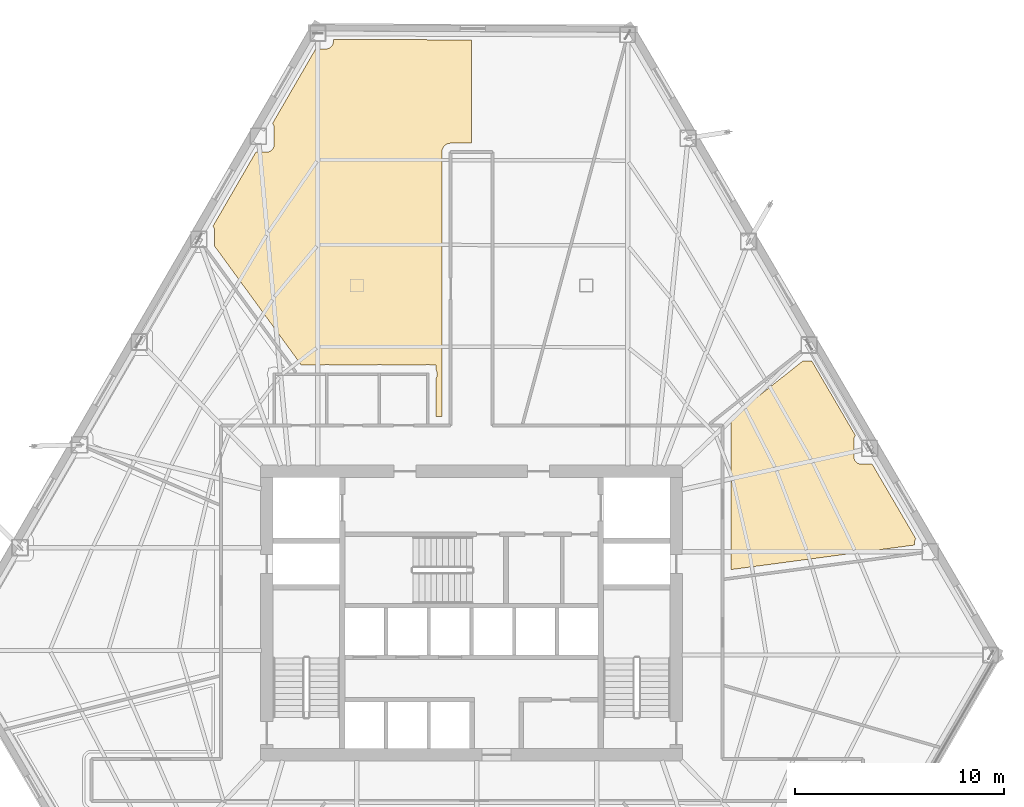
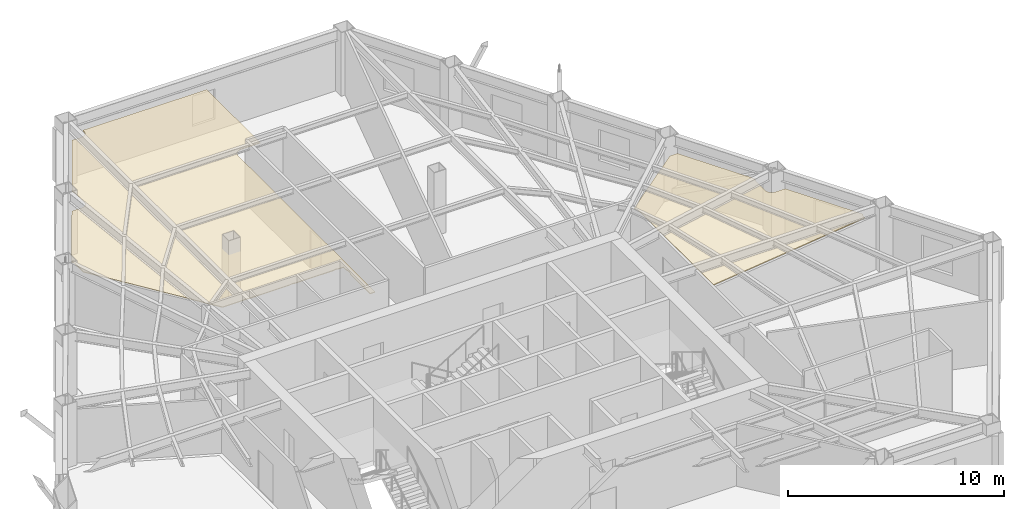
# One storey, part 14 of 14: 2 coverings.
"""IFC4 building model written with IfcOpenShell, lengths in metres."""

from ifc_helpers import new_model, si_unit, direction, frame, origin, place, context, subcontext, project, spatial, polyline, outline, extrude, material, layer, layer_set, type_object, element, save


model = new_model("IFC4")

# Units and contexts
model_context = context("Model", 3, precision=1e-05, world=origin(), true_north=direction((0.0, 1.0)))
body_context = subcontext(model_context, "Body", "Model", "MODEL_VIEW")
ifc_project = project(units=[si_unit("LENGTHUNIT", "METRE"), si_unit("AREAUNIT", "SQUARE_METRE"), si_unit("VOLUMEUNIT", "CUBIC_METRE"), si_unit("PLANEANGLEUNIT", "RADIAN"), si_unit("MASSUNIT", "GRAM", prefix="KILO")], contexts=[model_context])

# Site, building, storey
site_placement = place(None, origin())
site = spatial("IfcSite", under=ifc_project, at=site_placement, CompositionType="ELEMENT")
building_placement = place(site_placement, origin())
building = spatial("IfcBuilding", under=site, at=building_placement, Name="Kavelnor Concourse Tower", CompositionType="ELEMENT")
storey_placement = place(building_placement, frame((0.0, 0.0, 52.199951171875)))
storey = spatial("IfcBuildingStorey", under=building, at=storey_placement, Name="L13", CompositionType="ELEMENT", Elevation=52.199951171875)

# Coverings
ifc_material = material(Name="Mineral fibre acoustic ceiling tile")
ifc_layer = layer(ifc_material, 0.0400390625, Name="Mineral fibre acoustic ceiling tile")
ifc_layer_set = layer_set([ifc_layer], Name="Mineral fibre acoustic ceiling tile")
covering_type = type_object("IfcCoveringType", Name="COV-CEILING-ACOUSTIC", PredefinedType="CEILING", material=ifc_layer_set)
covering_1_placement = place(storey_placement, frame((0.0, 0.0, 2.75)))
element("IfcCovering", 1, at=covering_1_placement, inside=storey, type_object=covering_type, Name="L13 Suspended Acoustic Ceiling", PredefinedType="CEILING", context=body_context, shape_type="SweptSolid", body=[
    extrude(outline(polyline([(53.892578125, 28.194580078125), (54.30224609375, 28.194580078125), (56.39599609375, 24.6171875), (56.382568359375, 24.59912109375), (56.364501953125, 24.568603515625), (56.349365234375, 24.53662109375), (56.33740234375, 24.50341796875), (56.328857421875, 24.468994140625), (56.323486328125, 24.43408203125), (56.322265625, 24.406982421875), (56.322265625, 23.590576171875), (56.323486328125, 23.5634765625), (56.328857421875, 23.528564453125), (56.33740234375, 23.494140625), (56.349365234375, 23.4609375), (56.364501953125, 23.428955078125), (56.382568359375, 23.398681640625), (56.40380859375, 23.3701171875), (56.427490234375, 23.343994140625), (56.45361328125, 23.3203125), (56.482177734375, 23.299072265625), (56.512451171875, 23.281005859375), (56.54443359375, 23.265869140625), (56.57763671875, 23.25390625), (56.612060546875, 23.245361328125), (56.64697265625, 23.239990234375), (56.674072265625, 23.23876953125), (57.20263671875, 23.23876953125), (59.29638671875, 19.66162109375), (59.282958984375, 19.643310546875), (59.2646484375, 19.613037109375), (59.24951171875, 19.5810546875), (59.23779296875, 19.5478515625), (59.22900390625, 19.513427734375), (59.223876953125, 19.478515625), (59.22265625, 19.451416015625), (59.22265625, 19.360107421875), (50.4423828125, 18.1845703125), (50.4423828125, 25.1083984375), (50.44091796875, 25.1416015625), (50.434814453125, 25.1826171875), (50.4248046875, 25.222900390625), (50.41064453125, 25.26171875), (50.39306640625, 25.29931640625), (50.37158203125, 25.3349609375), (50.346923828125, 25.368408203125), (50.341796875, 25.373779296875), (53.892578125, 28.194580078125)])), origin(), (0.0, 0.0, 1.0), 0.0400390625),
])
covering_2_placement = place(storey_placement, frame((0.0, 0.0, 2.75)))
element("IfcCovering", 2, at=covering_2_placement, inside=storey, type_object=covering_type, Name="L13 Suspended Acoustic Ceiling", PredefinedType="CEILING", context=body_context, shape_type="SweptSolid", body=[
    extrude(outline(polyline([(28.212646484375, 38.197021484375), (28.247802734375, 38.202392578125), (28.281982421875, 38.2109375), (28.315185546875, 38.222900390625), (28.347412109375, 38.23779296875), (28.377685546875, 38.256103515625), (28.406005859375, 38.277099609375), (28.43212890625, 38.301025390625), (28.4560546875, 38.3271484375), (28.47705078125, 38.355712890625), (28.495361328125, 38.385986328125), (28.510498046875, 38.41796875), (28.522216796875, 38.451171875), (28.531005859375, 38.485595703125), (28.5361328125, 38.5205078125), (28.537353515625, 38.547607421875), (28.537353515625, 39.364013671875), (28.5361328125, 39.39111328125), (28.531005859375, 39.426025390625), (28.522216796875, 39.46044921875), (28.510498046875, 39.49365234375), (28.495361328125, 39.525634765625), (28.47705078125, 39.555908203125), (28.461181640625, 39.577392578125), (30.52880859375, 43.1455078125), (31.022216796875, 43.1455078125), (31.04931640625, 43.146728515625), (31.084228515625, 43.15185546875), (31.11865234375, 43.160400390625), (31.15185546875, 43.17236328125), (31.183837890625, 43.1875), (31.214111328125, 43.205810546875), (31.24267578125, 43.226806640625), (31.268798828125, 43.25048828125), (31.29248046875, 43.27685546875), (31.313720703125, 43.30517578125), (31.331787109375, 43.33544921875), (31.346923828125, 43.367431640625), (31.35888671875, 43.40087890625), (31.367431640625, 43.43505859375), (31.372802734375, 43.47021484375), (31.3740234375, 43.4970703125), (31.3740234375, 43.602294921875), (37.9951171875, 43.57373046875), (37.9951171875, 38.62255859375), (36.99169921875, 38.62255859375), (36.95849609375, 38.620849609375), (36.91748046875, 38.61474609375), (36.877197265625, 38.604736328125), (36.838134765625, 38.5908203125), (36.800537109375, 38.572998046875), (36.764892578125, 38.551513671875), (36.731689453125, 38.52685546875), (36.700927734375, 38.4990234375), (36.673095703125, 38.46826171875), (36.6484375, 38.43505859375), (36.626953125, 38.3994140625), (36.609375, 38.36181640625), (36.59521484375, 38.32275390625), (36.585205078125, 38.282470703125), (36.5791015625, 38.241455078125), (36.577392578125, 38.208251953125), (36.577392578125, 25.5224609375), (36.304931640625, 25.5224609375), (36.304931640625, 27.354736328125), (36.3076171875, 27.35888671875), (36.32470703125, 27.39501953125), (36.337890625, 27.432373046875), (36.34765625, 27.470947265625), (36.353515625, 27.51025390625), (36.35546875, 27.550048828125), (36.353515625, 27.589599609375), (36.34765625, 27.629150390625), (36.337890625, 27.667724609375), (36.32470703125, 27.705078125), (36.3076171875, 27.7412109375), (36.299560546875, 27.75439453125), (36.298828125, 27.989990234375), (36.039794921875, 27.989990234375), (36.017578125, 27.998046875), (35.97900390625, 28.007568359375), (35.939697265625, 28.013427734375), (35.89990234375, 28.015380859375), (35.8603515625, 28.013427734375), (35.82080078125, 28.007568359375), (35.7822265625, 27.998046875), (35.763427734375, 27.9912109375), (33.7197265625, 27.989990234375), (33.69775390625, 27.998046875), (33.6591796875, 28.007568359375), (33.61962890625, 28.013427734375), (33.580078125, 28.015380859375), (33.540283203125, 28.013427734375), (33.5009765625, 28.007568359375), (33.46240234375, 27.998046875), (33.443359375, 27.9912109375), (31.19970703125, 27.989990234375), (31.177734375, 27.998046875), (31.13916015625, 28.007568359375), (31.099609375, 28.013427734375), (31.06005859375, 28.015380859375), (31.020263671875, 28.013427734375), (30.98095703125, 28.007568359375), (30.9423828125, 27.998046875), (30.92333984375, 27.9912109375), (29.83837890625, 27.990234375), (25.680908203125, 33.688720703125), (25.680908203125, 34.4345703125), (25.679443359375, 34.46142578125), (25.67431640625, 34.49658203125), (25.665771484375, 34.53076171875), (25.65380859375, 34.564208984375), (25.638671875, 34.59619140625), (25.62060546875, 34.62646484375), (25.6044921875, 34.647705078125), (27.66064453125, 38.19580078125), (28.185791015625, 38.19580078125), (28.212646484375, 38.197021484375)])), origin(), (0.0, 0.0, 1.0), 0.0400390625),
])

save(model, "model.ifc")
